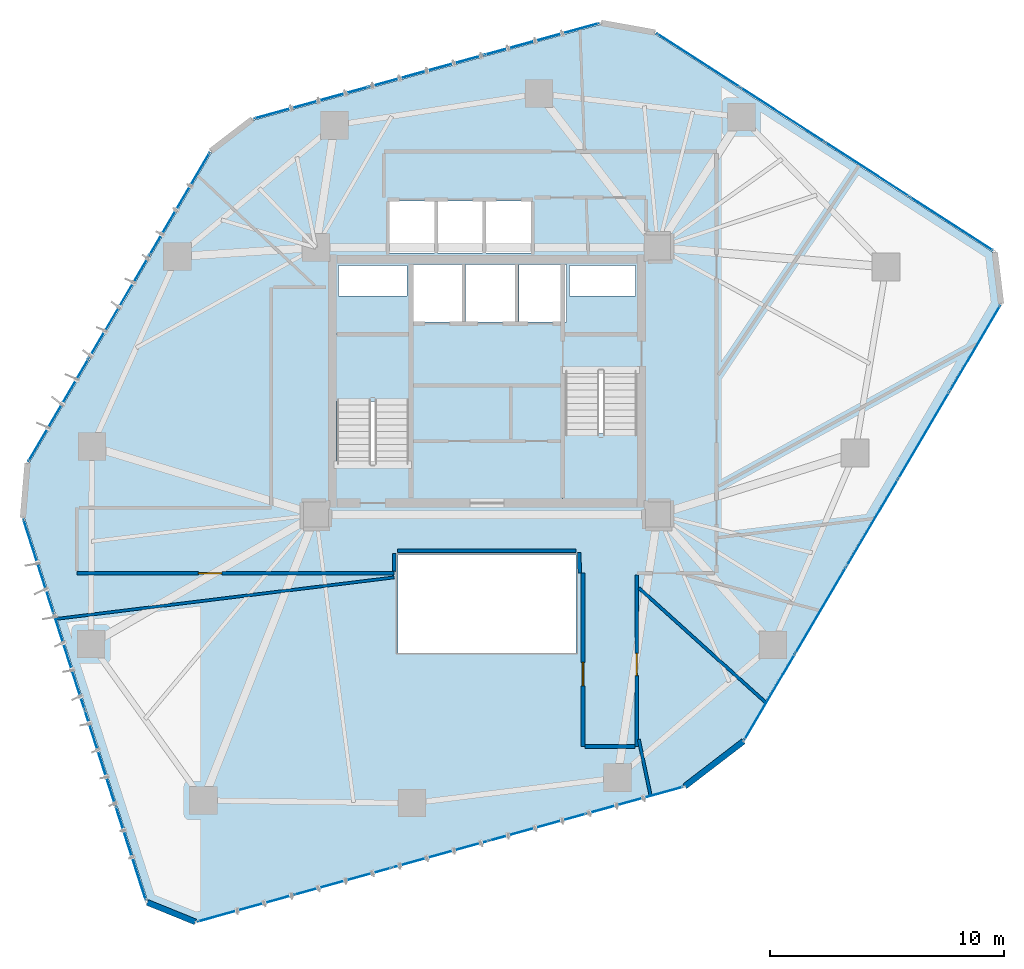
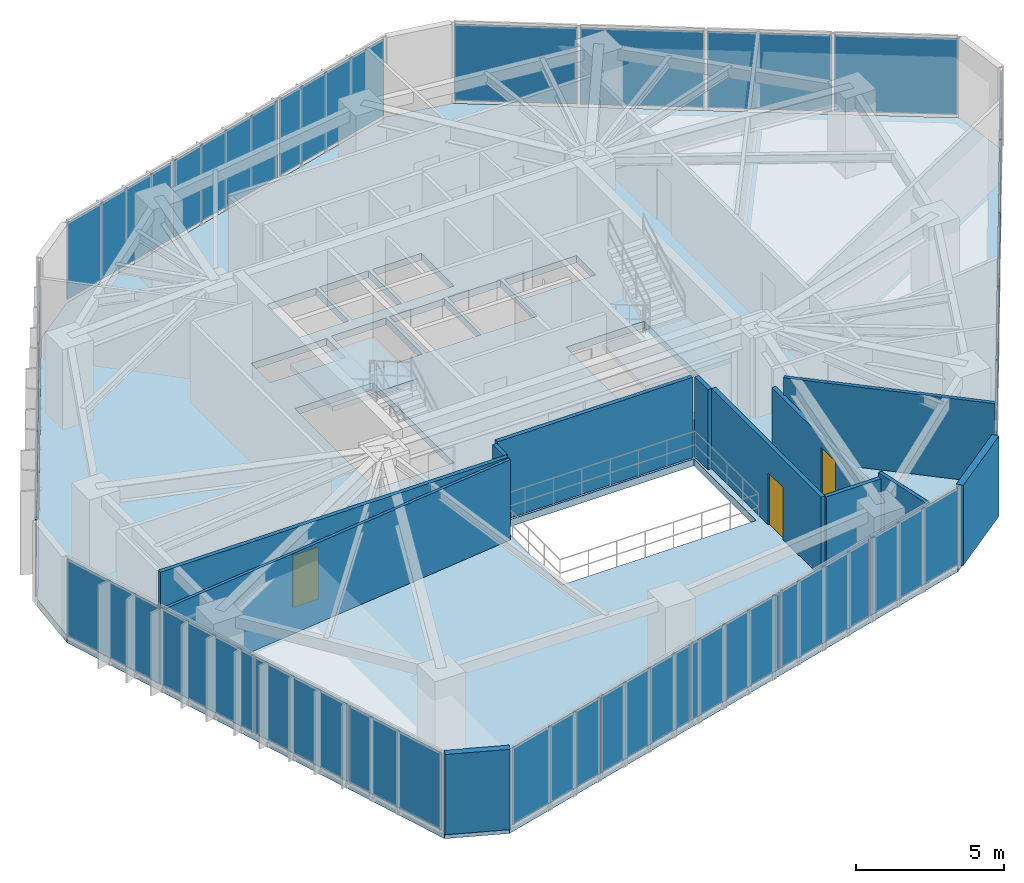
# One storey, part 15 of 20: 24 plates, 12 walls, 3 doors, 3 slabs, 3 openings, 8 elements without a shape of their own.
"""IFC4 building model written with IfcOpenShell, lengths in metres."""

from ifc_helpers import new_model, si_unit, direction, frame, frame_2d, origin, origin_2d, place, context, subcontext, project, spatial, polyline, rectangle, outline, extrude, source, transform, mapped, material, layer, layer_set, type_object, type_shapes, element, fill, aggregate, save


model = new_model("IFC4")

# Units and contexts
model_context = context("Model", 3, precision=1e-05, world=origin(), true_north=direction((0.0, 1.0)))
body_context = subcontext(model_context, "Body", "Model", "MODEL_VIEW")
ifc_project = project(units=[si_unit("LENGTHUNIT", "METRE"), si_unit("AREAUNIT", "SQUARE_METRE"), si_unit("VOLUMEUNIT", "CUBIC_METRE"), si_unit("PLANEANGLEUNIT", "RADIAN"), si_unit("MASSUNIT", "GRAM", prefix="KILO")], contexts=[model_context])

# Site, building, storey
site_placement = place(None, origin())
site = spatial("IfcSite", under=ifc_project, at=site_placement, CompositionType="ELEMENT")
building_placement = place(site_placement, origin())
building = spatial("IfcBuilding", under=site, at=building_placement, Name="Talar Marvaseh", CompositionType="ELEMENT")
storey_placement = place(building_placement, frame((0.0, 0.0, 136.199951171875)))
storey = spatial("IfcBuildingStorey", under=building, at=storey_placement, Name="L35", CompositionType="ELEMENT", Elevation=136.199951171875)

# Stair, slab
ifc_material_1 = material(Name="Concrete C40/50", Category="concrete")
stair_type = type_object("IfcStairType", Name="Reinforced Concrete Half-Turn Exit Stair Type B", PredefinedType="HALF_TURN_STAIR", material=ifc_material_1)
stair_1_placement = place(storey_placement, origin())
stair_1 = element("IfcStair", 1, at=stair_1_placement, inside=storey, type_object=stair_type, Name="L35 Tower West Core Exit Stair", PredefinedType="HALF_TURN_STAIR")
ifc_layer_1 = layer(ifc_material_1, 0.199951171875)
ifc_layer_set_1 = layer_set([ifc_layer_1], Name="Concrete C40/50")
slab_type_1 = type_object("IfcSlabType", Name="Reinforced Concrete Stair Half-Landing Slab 200", PredefinedType="LANDING", material=ifc_layer_set_1)
slab_1_placement = place(storey_placement, frame((0.0, 0.0, 1.60009765625)))
slab_1 = element("IfcSlab", 2, at=slab_1_placement, type_object=slab_type_1, Name="ST-1 landing 1", PredefinedType="LANDING", context=body_context, shape_type="SweptSolid", body=[
    extrude(outline(polyline([(22.780029296875, 30.330078125), (22.780029296875, 33.219970703125), (19.47998046875, 33.219970703125), (19.47998046875, 30.330078125), (22.780029296875, 30.330078125)])), origin(), (0.0, 0.0, 1.0), 0.199951171875),
])
aggregate(stair_1, [slab_1])

stair_2_placement = place(storey_placement, origin())
stair_2 = element("IfcStair", 3, at=stair_2_placement, inside=storey, type_object=stair_type, Name="L35 Tower East Core Exit Stair", PredefinedType="HALF_TURN_STAIR")
slab_2_placement = place(storey_placement, frame((0.0, 0.0, 1.60009765625)))
slab_2 = element("IfcSlab", 4, at=slab_2_placement, type_object=slab_type_1, Name="ST-2 landing 1", PredefinedType="LANDING", context=body_context, shape_type="SweptSolid", body=[
    extrude(outline(polyline([(29.219970703125, 28.969970703125), (29.219970703125, 26.080078125), (32.52001953125, 26.080078125), (32.52001953125, 28.969970703125), (29.219970703125, 28.969970703125)])), origin(), (0.0, 0.0, 1.0), 0.199951171875),
])
aggregate(stair_2, [slab_2])

# Slab
ifc_layer_2 = layer(ifc_material_1, 0.2900390625)
ifc_layer_set_2 = layer_set([ifc_layer_2], Name="Concrete C40/50")
slab_type_2 = type_object("IfcSlabType", Name="Structural Suspended Floor Slab 290", PredefinedType="FLOOR", material=ifc_layer_set_2)
slab_3_placement = place(storey_placement, frame((0.0, 0.0, -0.2900390625)))
element("IfcSlab", 5, at=slab_3_placement, inside=storey, type_object=slab_type_2, Name="L35 Tower Floor Slab", PredefinedType="FLOOR", context=body_context, shape_type="SweptSolid", body=[
    extrude(outline(polyline([(13.579345703125, 8.168212890625), (11.525146484375, 9.001220703125), (6.256591796875, 25.36572265625), (6.45556640625, 27.697998046875), (14.250732421875, 40.968017578125), (16.031982421875, 42.334716796875), (30.8671875, 46.4296875), (33.17138671875, 46.018310546875), (47.61474609375, 36.69384765625), (47.8876953125, 34.494140625), (36.9130859375, 15.869384765625), (34.409912109375, 13.948486328125), (13.579345703125, 8.168212890625)]), holes=[polyline([(22.659912109375, 27.64990234375), (22.659912109375, 33.10009765625), (19.60009765625, 33.10009765625), (19.60009765625, 27.64990234375), (22.659912109375, 27.64990234375)]), polyline([(29.340087890625, 31.64990234375), (29.340087890625, 26.199951171875), (32.39990234375, 26.199951171875), (32.39990234375, 31.64990234375), (29.340087890625, 31.64990234375)]), polyline([(22.800048828125, 33.719970703125), (24.93994140625, 33.719970703125), (24.93994140625, 36.179931640625), (22.800048828125, 36.179931640625), (22.800048828125, 33.719970703125)]), polyline([(25.080078125, 33.719970703125), (27.219970703125, 33.719970703125), (27.219970703125, 36.179931640625), (25.080078125, 36.179931640625), (25.080078125, 33.719970703125)]), polyline([(27.360107421875, 33.719970703125), (29.39990234375, 33.719970703125), (29.39990234375, 36.179931640625), (27.360107421875, 36.179931640625), (27.360107421875, 33.719970703125)]), polyline([(21.840087890625, 36.659912109375), (23.760009765625, 36.659912109375), (23.760009765625, 38.8798828125), (21.840087890625, 38.8798828125), (21.840087890625, 36.659912109375)]), polyline([(23.89990234375, 36.659912109375), (25.820068359375, 36.659912109375), (25.820068359375, 38.8798828125), (23.89990234375, 38.8798828125), (23.89990234375, 36.659912109375)]), polyline([(25.9599609375, 36.659912109375), (27.8798828125, 36.659912109375), (27.8798828125, 38.8798828125), (25.9599609375, 38.8798828125), (25.9599609375, 36.659912109375)]), polyline([(19.659912109375, 34.840087890625), (22.60009765625, 34.840087890625), (22.60009765625, 36.139892578125), (19.659912109375, 36.139892578125), (19.659912109375, 34.840087890625)]), polyline([(29.52001953125, 34.840087890625), (32.340087890625, 34.840087890625), (32.340087890625, 36.139892578125), (29.52001953125, 36.139892578125), (29.52001953125, 34.840087890625)]), polyline([(22.199951171875, 19.60009765625), (29.800048828125, 19.60009765625), (29.800048828125, 23.800048828125), (22.199951171875, 23.800048828125), (22.199951171875, 19.60009765625)])]), origin(), (0.0, 0.0, 1.0), 0.2900390625),
])

# Curtain wall, plates
ifc_material_2 = material(Name="Architectural Aluminium", Category="aluminium")
ifc_layer_3 = layer(ifc_material_2, 0.199951171875)
ifc_layer_set_3 = layer_set([ifc_layer_3], Name="Architectural Aluminium")
curtain_wall_type = type_object("IfcCurtainWallType", Name="Unitised Acoustic Library Curtain Wall Z2", PredefinedType="NOTDEFINED", material=ifc_layer_set_3)
curtain_wall_1_placement = place(storey_placement, origin())
curtain_wall_1 = element("IfcCurtainWall", 6, at=curtain_wall_1_placement, inside=storey, type_object=curtain_wall_type, Name="L35 Unitised Acoustic Library Curtain Wall Z2", PredefinedType="NOTDEFINED")
ifc_material_3 = material(Name="Laminated Low-E Solar Glass", Category="glass")
ifc_layer_4 = layer(ifc_material_3, 0.028076171875)
ifc_layer_set_4 = layer_set([ifc_layer_4], Name="Laminated Low-E Solar Glass")
plate_type = type_object("IfcPlateType", Name="Double-Glazed Low-E Vision Curtain Panel 28", PredefinedType="CURTAIN_PANEL", material=ifc_layer_set_4)
shared_shape_1 = source(origin(), body_context, "Body", "SweptSolid", [
    extrude(rectangle(XDim=4.185302734375, YDim=0.028076171875, at=origin_2d()), origin(), (0.0, 0.0, 1.0), 3.159912109375),
])
plate_1_placement = place(storey_placement, frame((10.8037109375, 11.04638671875, 0.0751953125), z_axis=(0.0, 0.0, 1.0), x_axis=(-0.306463298887, 0.951882475117, 0.0)))
plate_1 = element("IfcPlate", 7, at=plate_1_placement, type_object=plate_type, Name="CW-Z2 panel 1.1", PredefinedType="CURTAIN_PANEL", context=body_context, shape_type="MappedRepresentation", body=[
    mapped(shared_shape_1, transform((0.0, 0.0, 0.0), x_axis=(1.0, 0.0, 0.0), y_axis=(0.0, 1.0, 0.0), z_axis=(0.0, 0.0, 1.0), scale=1.0)),
])
plate_2_placement = place(storey_placement, frame((6.86376953125, 23.283935546875, 0.0751953125), z_axis=(0.0, 0.0, 1.0), x_axis=(-0.306463298887, 0.951882475117, 0.0)))
plate_2 = element("IfcPlate", 8, at=plate_2_placement, type_object=plate_type, Name="CW-Z2 panel 4.1", PredefinedType="CURTAIN_PANEL", context=body_context, shape_type="MappedRepresentation", body=[
    mapped(shared_shape_1, transform((0.0, 0.0, 0.0), x_axis=(1.0, 0.0, 0.0), y_axis=(0.0, 1.0, 0.0), z_axis=(0.0, 0.0, 1.0), scale=1.0)),
])

curtain_wall_2_placement = place(storey_placement, origin())
curtain_wall_2 = element("IfcCurtainWall", 9, at=curtain_wall_2_placement, inside=storey, type_object=curtain_wall_type, Name="L35 Unitised Acoustic Library Curtain Wall Z2", PredefinedType="NOTDEFINED")
plate_3_placement = place(storey_placement, frame((35.025146484375, 44.89306640625, 0.0751953125), z_axis=(0.0, 0.0, 1.0), x_axis=(0.840129498686, -0.542385863972, 0.0)))
plate_3 = element("IfcPlate", 10, at=plate_3_placement, type_object=plate_type, Name="CW-Z2 panel 1.1", PredefinedType="CURTAIN_PANEL", context=body_context, shape_type="MappedRepresentation", body=[
    mapped(shared_shape_1, transform((0.0, 0.0, 0.0), x_axis=(1.0, 0.0, 0.0), y_axis=(0.0, 1.0, 0.0), z_axis=(0.0, 0.0, 1.0), scale=1.0)),
])
plate_4_placement = place(storey_placement, frame((45.825927734375, 37.919921875, 0.0751953125), z_axis=(0.0, 0.0, 1.0), x_axis=(0.840129498686, -0.542385863972, 0.0)))
plate_4 = element("IfcPlate", 11, at=plate_4_placement, type_object=plate_type, Name="CW-Z2 panel 4.1", PredefinedType="CURTAIN_PANEL", context=body_context, shape_type="MappedRepresentation", body=[
    mapped(shared_shape_1, transform((0.0, 0.0, 0.0), x_axis=(1.0, 0.0, 0.0), y_axis=(0.0, 1.0, 0.0), z_axis=(0.0, 0.0, 1.0), scale=1.0)),
])

# Plate
shared_shape_2 = source(origin(), body_context, "Body", "SweptSolid", [
    extrude(rectangle(XDim=4.222900390625, YDim=0.028076171875, at=origin_2d()), origin(), (0.0, 0.0, 1.0), 3.159912109375),
])
plate_5_placement = place(storey_placement, frame((9.492431640625, 15.11962890625, 0.0751953125), z_axis=(0.0, 0.0, 1.0), x_axis=(-0.306463298887, 0.951882475117, 0.0)))
plate_5 = element("IfcPlate", 12, at=plate_5_placement, type_object=plate_type, Name="CW-Z2 panel 2.1", PredefinedType="CURTAIN_PANEL", context=body_context, shape_type="MappedRepresentation", body=[
    mapped(shared_shape_2, transform((0.0, 0.0, 0.0), x_axis=(1.0, 0.0, 0.0), y_axis=(0.0, 1.0, 0.0), z_axis=(0.0, 0.0, 1.0), scale=1.0)),
])

plate_6_placement = place(storey_placement, frame((8.17529296875, 19.210693359375, 0.0751953125), z_axis=(0.0, 0.0, 1.0), x_axis=(-0.306463298887, 0.951882475117, 0.0)))
plate_6 = element("IfcPlate", 13, at=plate_6_placement, type_object=plate_type, Name="CW-Z2 panel 3.1", PredefinedType="CURTAIN_PANEL", context=body_context, shape_type="MappedRepresentation", body=[
    mapped(shared_shape_2, transform((0.0, 0.0, 0.0), x_axis=(1.0, 0.0, 0.0), y_axis=(0.0, 1.0, 0.0), z_axis=(0.0, 0.0, 1.0), scale=1.0)),
])

aggregate(curtain_wall_1, [plate_1, plate_5, plate_6, plate_2])

plate_7_placement = place(storey_placement, frame((38.6201171875, 42.572021484375, 0.0751953125), z_axis=(0.0, 0.0, 1.0), x_axis=(0.840129498686, -0.542385863972, 0.0)))
plate_7 = element("IfcPlate", 14, at=plate_7_placement, type_object=plate_type, Name="CW-Z2 panel 2.1", PredefinedType="CURTAIN_PANEL", context=body_context, shape_type="MappedRepresentation", body=[
    mapped(shared_shape_2, transform((0.0, 0.0, 0.0), x_axis=(1.0, 0.0, 0.0), y_axis=(0.0, 1.0, 0.0), z_axis=(0.0, 0.0, 1.0), scale=1.0)),
])

plate_8_placement = place(storey_placement, frame((42.23095703125, 40.240966796875, 0.0751953125), z_axis=(0.0, 0.0, 1.0), x_axis=(0.840129498686, -0.542385863972, 0.0)))
plate_8 = element("IfcPlate", 15, at=plate_8_placement, type_object=plate_type, Name="CW-Z2 panel 3.1", PredefinedType="CURTAIN_PANEL", context=body_context, shape_type="MappedRepresentation", body=[
    mapped(shared_shape_2, transform((0.0, 0.0, 0.0), x_axis=(1.0, 0.0, 0.0), y_axis=(0.0, 1.0, 0.0), z_axis=(0.0, 0.0, 1.0), scale=1.0)),
])

aggregate(curtain_wall_2, [plate_3, plate_7, plate_8, plate_4])

# Curtain wall, plates
curtain_wall_3_placement = place(storey_placement, origin())
curtain_wall_3 = element("IfcCurtainWall", 16, at=curtain_wall_3_placement, inside=storey, type_object=curtain_wall_type, Name="L35 Unitised Acoustic Library Curtain Wall Z2", PredefinedType="NOTDEFINED")
shared_shape_3 = source(origin(), body_context, "Body", "SweptSolid", [
    extrude(rectangle(XDim=5.017578125, YDim=0.028076171875, at=origin_2d()), origin(), (0.0, 0.0, 1.0), 3.159912109375),
])
plate_9_placement = place(storey_placement, frame((7.71240234375, 29.956298828125, 0.0751953125), z_axis=(0.0, 0.0, 1.0), x_axis=(0.506512035131, 0.862232890968, 0.0)))
plate_9 = element("IfcPlate", 17, at=plate_9_placement, type_object=plate_type, Name="CW-Z2 panel 1.1", PredefinedType="CURTAIN_PANEL", context=body_context, shape_type="MappedRepresentation", body=[
    mapped(shared_shape_3, transform((0.0, 0.0, 0.0), x_axis=(1.0, 0.0, 0.0), y_axis=(0.0, 1.0, 0.0), z_axis=(0.0, 0.0, 1.0), scale=1.0)),
])
plate_10_placement = place(storey_placement, frame((12.890380859375, 38.7705078125, 0.0751953125), z_axis=(0.0, 0.0, 1.0), x_axis=(0.506512035131, 0.862232890968, 0.0)))
plate_10 = element("IfcPlate", 18, at=plate_10_placement, type_object=plate_type, Name="CW-Z2 panel 3.1", PredefinedType="CURTAIN_PANEL", context=body_context, shape_type="MappedRepresentation", body=[
    mapped(shared_shape_3, transform((0.0, 0.0, 0.0), x_axis=(1.0, 0.0, 0.0), y_axis=(0.0, 1.0, 0.0), z_axis=(0.0, 0.0, 1.0), scale=1.0)),
])

curtain_wall_4_placement = place(storey_placement, origin())
curtain_wall_4 = element("IfcCurtainWall", 19, at=curtain_wall_4_placement, inside=storey, type_object=curtain_wall_type, Name="L35 Unitised Acoustic Library Curtain Wall Z2", PredefinedType="NOTDEFINED")
plate_11_placement = place(storey_placement, frame((18.506591796875, 43.079833984375, 0.0751953125), z_axis=(0.0, 0.0, 1.0), x_axis=(0.963947573078, 0.2660922328, 0.0)))
plate_11 = element("IfcPlate", 20, at=plate_11_placement, type_object=plate_type, Name="CW-Z2 panel 1.1", PredefinedType="CURTAIN_PANEL", context=body_context, shape_type="MappedRepresentation", body=[
    mapped(shared_shape_3, transform((0.0, 0.0, 0.0), x_axis=(1.0, 0.0, 0.0), y_axis=(0.0, 1.0, 0.0), z_axis=(0.0, 0.0, 1.0), scale=1.0)),
])
plate_12_placement = place(storey_placement, frame((28.360595703125, 45.800048828125, 0.0751953125), z_axis=(0.0, 0.0, 1.0), x_axis=(0.963947573078, 0.2660922328, 0.0)))
plate_12 = element("IfcPlate", 21, at=plate_12_placement, type_object=plate_type, Name="CW-Z2 panel 3.1", PredefinedType="CURTAIN_PANEL", context=body_context, shape_type="MappedRepresentation", body=[
    mapped(shared_shape_3, transform((0.0, 0.0, 0.0), x_axis=(1.0, 0.0, 0.0), y_axis=(0.0, 1.0, 0.0), z_axis=(0.0, 0.0, 1.0), scale=1.0)),
])

# Plate
shared_shape_4 = source(origin(), body_context, "Body", "SweptSolid", [
    extrude(rectangle(XDim=5.054931640625, YDim=0.028076171875, at=origin_2d()), origin(), (0.0, 0.0, 1.0), 3.159912109375),
])
plate_13_placement = place(storey_placement, frame((10.301513671875, 34.36328125, 0.0751953125), z_axis=(0.0, 0.0, 1.0), x_axis=(0.506512035131, 0.862232890968, 0.0)))
plate_13 = element("IfcPlate", 22, at=plate_13_placement, type_object=plate_type, Name="CW-Z2 panel 2.1", PredefinedType="CURTAIN_PANEL", context=body_context, shape_type="MappedRepresentation", body=[
    mapped(shared_shape_4, transform((0.0, 0.0, 0.0), x_axis=(1.0, 0.0, 0.0), y_axis=(0.0, 1.0, 0.0), z_axis=(0.0, 0.0, 1.0), scale=1.0)),
])

aggregate(curtain_wall_3, [plate_9, plate_13, plate_10])

plate_14_placement = place(storey_placement, frame((23.43359375, 44.43994140625, 0.0751953125), z_axis=(0.0, 0.0, 1.0), x_axis=(0.963947573078, 0.2660922328, 0.0)))
plate_14 = element("IfcPlate", 23, at=plate_14_placement, type_object=plate_type, Name="CW-Z2 panel 2.1", PredefinedType="CURTAIN_PANEL", context=body_context, shape_type="MappedRepresentation", body=[
    mapped(shared_shape_4, transform((0.0, 0.0, 0.0), x_axis=(1.0, 0.0, 0.0), y_axis=(0.0, 1.0, 0.0), z_axis=(0.0, 0.0, 1.0), scale=1.0)),
])

aggregate(curtain_wall_4, [plate_11, plate_14, plate_12])

# Curtain wall, plates
curtain_wall_5_placement = place(storey_placement, origin())
curtain_wall_5 = element("IfcCurtainWall", 24, at=curtain_wall_5_placement, inside=storey, type_object=curtain_wall_type, Name="L35 Unitised Acoustic Library Curtain Wall Z2", PredefinedType="NOTDEFINED")
shared_shape_5 = source(origin(), body_context, "Body", "SweptSolid", [
    extrude(rectangle(XDim=4.2109375, YDim=0.028076171875, at=origin_2d()), origin(), (0.0, 0.0, 1.0), 3.159912109375),
])
plate_15_placement = place(storey_placement, frame((46.83251953125, 32.5849609375, 0.0751953125), z_axis=(0.0, 0.0, 1.0), x_axis=(-0.507672748715, -0.861549987065, 0.0)))
plate_15 = element("IfcPlate", 25, at=plate_15_placement, type_object=plate_type, Name="CW-Z2 panel 1.1", PredefinedType="CURTAIN_PANEL", context=body_context, shape_type="MappedRepresentation", body=[
    mapped(shared_shape_5, transform((0.0, 0.0, 0.0), x_axis=(1.0, 0.0, 0.0), y_axis=(0.0, 1.0, 0.0), z_axis=(0.0, 0.0, 1.0), scale=1.0)),
])
plate_16_placement = place(storey_placement, frame((38.07177734375, 17.717529296875, 0.0751953125), z_axis=(0.0, 0.0, 1.0), x_axis=(-0.507672748715, -0.861549987065, 0.0)))
plate_16 = element("IfcPlate", 26, at=plate_16_placement, type_object=plate_type, Name="CW-Z2 panel 5.1", PredefinedType="CURTAIN_PANEL", context=body_context, shape_type="MappedRepresentation", body=[
    mapped(shared_shape_5, transform((0.0, 0.0, 0.0), x_axis=(1.0, 0.0, 0.0), y_axis=(0.0, 1.0, 0.0), z_axis=(0.0, 0.0, 1.0), scale=1.0)),
])

curtain_wall_6_placement = place(storey_placement, origin())
curtain_wall_6 = element("IfcCurtainWall", 27, at=curtain_wall_6_placement, inside=storey, type_object=curtain_wall_type, Name="L35 Unitised Acoustic Library Curtain Wall Z2", PredefinedType="NOTDEFINED")
plate_17_placement = place(storey_placement, frame((32.32470703125, 13.307861328125, 0.0751953125), z_axis=(0.0, 0.0, 1.0), x_axis=(-0.963588854134, -0.267388332185, 0.0)))
plate_17 = element("IfcPlate", 28, at=plate_17_placement, type_object=plate_type, Name="CW-Z2 panel 1.1", PredefinedType="CURTAIN_PANEL", context=body_context, shape_type="MappedRepresentation", body=[
    mapped(shared_shape_5, transform((0.0, 0.0, 0.0), x_axis=(1.0, 0.0, 0.0), y_axis=(0.0, 1.0, 0.0), z_axis=(0.0, 0.0, 1.0), scale=1.0)),
])
plate_18_placement = place(storey_placement, frame((15.696533203125, 8.693603515625, 0.0751953125), z_axis=(0.0, 0.0, 1.0), x_axis=(-0.963588854134, -0.267388332185, 0.0)))
plate_18 = element("IfcPlate", 29, at=plate_18_placement, type_object=plate_type, Name="CW-Z2 panel 5.1", PredefinedType="CURTAIN_PANEL", context=body_context, shape_type="MappedRepresentation", body=[
    mapped(shared_shape_5, transform((0.0, 0.0, 0.0), x_axis=(1.0, 0.0, 0.0), y_axis=(0.0, 1.0, 0.0), z_axis=(0.0, 0.0, 1.0), scale=1.0)),
])

# Plate
shared_shape_6 = source(origin(), body_context, "Body", "SweptSolid", [
    extrude(rectangle(XDim=4.24853515625, YDim=0.028076171875, at=origin_2d()), origin(), (0.0, 0.0, 1.0), 3.159912109375),
])
type_shapes(plate_type, [shared_shape_1, shared_shape_2, shared_shape_3, shared_shape_4, shared_shape_5, shared_shape_6])
plate_19_placement = place(storey_placement, frame((44.64697265625, 28.876220703125, 0.0751953125), z_axis=(0.0, 0.0, 1.0), x_axis=(-0.507672748715, -0.861549987065, 0.0)))
plate_19 = element("IfcPlate", 30, at=plate_19_placement, type_object=plate_type, Name="CW-Z2 panel 2.1", PredefinedType="CURTAIN_PANEL", context=body_context, shape_type="MappedRepresentation", body=[
    mapped(shared_shape_6, transform((0.0, 0.0, 0.0), x_axis=(1.0, 0.0, 0.0), y_axis=(0.0, 1.0, 0.0), z_axis=(0.0, 0.0, 1.0), scale=1.0)),
])

plate_20_placement = place(storey_placement, frame((42.4521484375, 25.1513671875, 0.0751953125), z_axis=(0.0, 0.0, 1.0), x_axis=(-0.507672748715, -0.861549987065, 0.0)))
plate_20 = element("IfcPlate", 31, at=plate_20_placement, type_object=plate_type, Name="CW-Z2 panel 3.1", PredefinedType="CURTAIN_PANEL", context=body_context, shape_type="MappedRepresentation", body=[
    mapped(shared_shape_6, transform((0.0, 0.0, 0.0), x_axis=(1.0, 0.0, 0.0), y_axis=(0.0, 1.0, 0.0), z_axis=(0.0, 0.0, 1.0), scale=1.0)),
])

plate_21_placement = place(storey_placement, frame((40.257080078125, 21.42626953125, 0.0751953125), z_axis=(0.0, 0.0, 1.0), x_axis=(-0.507672748715, -0.861549987065, 0.0)))
plate_21 = element("IfcPlate", 32, at=plate_21_placement, type_object=plate_type, Name="CW-Z2 panel 4.1", PredefinedType="CURTAIN_PANEL", context=body_context, shape_type="MappedRepresentation", body=[
    mapped(shared_shape_6, transform((0.0, 0.0, 0.0), x_axis=(1.0, 0.0, 0.0), y_axis=(0.0, 1.0, 0.0), z_axis=(0.0, 0.0, 1.0), scale=1.0)),
])

aggregate(curtain_wall_5, [plate_15, plate_19, plate_20, plate_21, plate_16])

plate_22_placement = place(storey_placement, frame((28.1767578125, 12.15673828125, 0.0751953125), z_axis=(0.0, 0.0, 1.0), x_axis=(-0.963588854134, -0.267388332185, 0.0)))
plate_22 = element("IfcPlate", 33, at=plate_22_placement, type_object=plate_type, Name="CW-Z2 panel 2.1", PredefinedType="CURTAIN_PANEL", context=body_context, shape_type="MappedRepresentation", body=[
    mapped(shared_shape_6, transform((0.0, 0.0, 0.0), x_axis=(1.0, 0.0, 0.0), y_axis=(0.0, 1.0, 0.0), z_axis=(0.0, 0.0, 1.0), scale=1.0)),
])

plate_23_placement = place(storey_placement, frame((24.010498046875, 11.000732421875, 0.0751953125), z_axis=(0.0, 0.0, 1.0), x_axis=(-0.963588854134, -0.267388332185, 0.0)))
plate_23 = element("IfcPlate", 34, at=plate_23_placement, type_object=plate_type, Name="CW-Z2 panel 3.1", PredefinedType="CURTAIN_PANEL", context=body_context, shape_type="MappedRepresentation", body=[
    mapped(shared_shape_6, transform((0.0, 0.0, 0.0), x_axis=(1.0, 0.0, 0.0), y_axis=(0.0, 1.0, 0.0), z_axis=(0.0, 0.0, 1.0), scale=1.0)),
])

plate_24_placement = place(storey_placement, frame((19.844482421875, 9.844482421875, 0.0751953125), z_axis=(0.0, 0.0, 1.0), x_axis=(-0.963588854134, -0.267388332185, 0.0)))
plate_24 = element("IfcPlate", 35, at=plate_24_placement, type_object=plate_type, Name="CW-Z2 panel 4.1", PredefinedType="CURTAIN_PANEL", context=body_context, shape_type="MappedRepresentation", body=[
    mapped(shared_shape_6, transform((0.0, 0.0, 0.0), x_axis=(1.0, 0.0, 0.0), y_axis=(0.0, 1.0, 0.0), z_axis=(0.0, 0.0, 1.0), scale=1.0)),
])

aggregate(curtain_wall_6, [plate_17, plate_22, plate_23, plate_24, plate_18])

# Walls
ifc_material_4 = material(Name="Precast concrete C45/55", Category="concrete")
ifc_layer_5 = layer(ifc_material_4, 0.2548828125)
ifc_layer_set_5 = layer_set([ifc_layer_5], Name="Precast concrete C45/55")
wall_type_1 = type_object("IfcWallType", Name="Chamfered Hexagonal Corner Pier Wall Z2 255", PredefinedType="SOLIDWALL", material=ifc_layer_set_5)
wall_1_placement = place(storey_placement, frame((13.556884765625, 8.11279296875, 0.0), z_axis=(0.0, 0.0, 1.0), x_axis=(-0.926704025405, 0.375792029318, 0.0)))
element("IfcWall", 36, at=wall_1_placement, inside=storey, type_object=wall_type_1, Name="L35 Chamfered Corner Limestone Pier 1", PredefinedType="SOLIDWALL", context=body_context, shape_type="SweptSolid", body=[
    extrude(rectangle(XDim=2.216552734375, YDim=0.2548828125, at=frame_2d((1.1083984375, 0.0))), origin(), (0.0, 0.0, 1.0), 3.31005859375),
])
wall_2_placement = place(storey_placement, frame((36.949462890625, 15.82177734375, 0.0), z_axis=(0.0, 0.0, 1.0), x_axis=(-0.79333105288, -0.608790473428, 0.0)))
element("IfcWall", 37, at=wall_2_placement, inside=storey, type_object=wall_type_1, Name="L35 Chamfered Corner Limestone Pier 6", PredefinedType="SOLIDWALL", context=body_context, shape_type="SweptSolid", body=[
    extrude(rectangle(XDim=3.1552734375, YDim=0.2548828125, at=frame_2d((1.57763671875, 0.0))), origin(), (0.0, 0.0, 1.0), 3.31005859375),
])

# Wall, opening, door
ifc_material_5 = material(Name="Gypsum Board Partition Assembly")
ifc_layer_6 = layer(ifc_material_5, 0.155029296875)
ifc_layer_set_6 = layer_set([ifc_layer_6], Name="Gypsum Board Partition Assembly")
wall_type_2 = type_object("IfcWallType", Name="Corridor Fire-Rated Acoustic Partition 155", PredefinedType="PARTITIONING", material=ifc_layer_set_6)
wall_3_placement = place(storey_placement, frame((22.0400390625, 23.0, 0.0), z_axis=(0.0, 0.0, 1.0), x_axis=(-1.0, 0.0, 0.0)))
wall_3 = element("IfcWall", 38, at=wall_3_placement, inside=storey, type_object=wall_type_2, Name="L35 Interior Partition Wall", PredefinedType="PARTITIONING", context=body_context, shape_type="SweptSolid", body=[
    extrude(rectangle(XDim=13.5400390625, YDim=0.155029296875, at=frame_2d((6.77001953125, 0.0))), origin(), (0.0, 0.0, 1.0), 3.31005859375),
])
opening_1_placement = place(wall_3_placement, frame((7.353271484375, 0.0, 0.0)))
opening_1 = element("IfcOpeningElement", 39, at=opening_1_placement, cuts=wall_3, Name="Opening DR-RM100", PredefinedType="OPENING", context=body_context, shape_type="SweptSolid", body=[
    extrude(rectangle(XDim=1.0, YDim=2.14990234375, at=frame_2d((0.5, 1.074951171875))), frame((0.0, 0.08740234375, 0.0), z_axis=(0.0, -1.0, 0.0), x_axis=(1.0, 0.0, 0.0)), (0.0, 0.0, 1.0), 0.175048828125),
])
ifc_material_6 = material(Name="Acoustic Engineered Oak Timber", Category="wood")
door_type_1 = type_object("IfcDoorType", Name="Corridor Fire-Rated Gallery Door 1000x2150", OperationType="NOTDEFINED", PredefinedType="DOOR", material=ifc_material_6)
shared_shape_7 = source(origin(), body_context, "Body", "SweptSolid", [
    extrude(rectangle(XDim=1.0, YDim=2.14990234375, at=frame_2d((0.5, 1.074951171875))), frame((0.0, 0.02490234375, 0.0), z_axis=(0.0, -1.0, 0.0), x_axis=(1.0, 0.0, 0.0)), (0.0, 0.0, 1.0), 0.050048828125),
])
type_shapes(door_type_1, [shared_shape_7])
door_1_placement = place(opening_1_placement, origin())
door_1 = element("IfcDoor", 40, at=door_1_placement, inside=storey, type_object=door_type_1, Name="L35 Editorial Administration Office Door", OperationType="SINGLE_SWING_RIGHT", OverallHeight=2.14990234375, OverallWidth=1.0, PredefinedType="DOOR", context=body_context, shape_type="MappedRepresentation", body=[
    mapped(shared_shape_7, transform((0.0, 0.0, 0.0), x_axis=(1.0, 0.0, 0.0), y_axis=(0.0, 1.0, 0.0), z_axis=(0.0, 0.0, 1.0), scale=1.0)),
])
fill(opening_1, door_1)

wall_4_placement = place(storey_placement, frame((32.39990234375, 22.91650390625, 0.0), z_axis=(0.0, 0.0, 1.0), x_axis=(0.0, -1.0, 0.0)))
wall_4 = element("IfcWall", 41, at=wall_4_placement, inside=storey, type_object=wall_type_2, Name="L35 Interior Partition Wall", PredefinedType="PARTITIONING", context=body_context, shape_type="SweptSolid", body=[
    extrude(rectangle(XDim=7.31640625, YDim=0.155029296875, at=frame_2d((3.658203125, 0.0))), origin(), (0.0, 0.0, 1.0), 2.590087890625),
])
opening_2_placement = place(wall_4_placement, frame((3.33544921875, 0.0, 0.0)))
opening_2 = element("IfcOpeningElement", 42, at=opening_2_placement, cuts=wall_4, Name="Opening DR-WC095", PredefinedType="OPENING", context=body_context, shape_type="SweptSolid", body=[
    extrude(rectangle(XDim=0.949951171875, YDim=2.14990234375, at=frame_2d((0.47509765625, 1.074951171875))), frame((0.0, 0.08740234375, 0.0), z_axis=(0.0, -1.0, 0.0), x_axis=(1.0, 0.0, 0.0)), (0.0, 0.0, 1.0), 0.175048828125),
])
door_type_2 = type_object("IfcDoorType", Name="Washroom and Service Room Door 950x2150", OperationType="NOTDEFINED", PredefinedType="DOOR", material=ifc_material_6)
shared_shape_8 = source(origin(), body_context, "Body", "SweptSolid", [
    extrude(rectangle(XDim=0.949951171875, YDim=2.14990234375, at=frame_2d((0.47509765625, 1.074951171875))), frame((0.0, 0.02490234375, 0.0), z_axis=(0.0, -1.0, 0.0), x_axis=(1.0, 0.0, 0.0)), (0.0, 0.0, 1.0), 0.050048828125),
])
type_shapes(door_type_2, [shared_shape_8])
door_2_placement = place(opening_2_placement, origin())
door_2 = element("IfcDoor", 43, at=door_2_placement, inside=storey, type_object=door_type_2, Name="L35 Rare Books Archive Room Door", OperationType="SINGLE_SWING_LEFT", OverallHeight=2.14990234375, OverallWidth=0.949951171875, PredefinedType="DOOR", context=body_context, shape_type="MappedRepresentation", body=[
    mapped(shared_shape_8, transform((0.0, 0.0, 0.0), x_axis=(1.0, 0.0, 0.0), y_axis=(0.0, 1.0, 0.0), z_axis=(0.0, 0.0, 1.0), scale=1.0)),
])
fill(opening_2, door_2)

wall_5_placement = place(storey_placement, frame((30.10009765625, 15.60009765625, 0.0), z_axis=(0.0, 0.0, 1.0), x_axis=(0.0, 1.0, 0.0)))
wall_5 = element("IfcWall", 44, at=wall_5_placement, inside=storey, type_object=wall_type_2, Name="L35 Interior Partition Wall", PredefinedType="PARTITIONING", context=body_context, shape_type="SweptSolid", body=[
    extrude(rectangle(XDim=7.39990234375, YDim=0.155029296875, at=frame_2d((3.699951171875, 0.0))), origin(), (0.0, 0.0, 1.0), 3.31005859375),
])
opening_3_placement = place(wall_5_placement, frame((2.589599609375, 0.0, 0.0)))
opening_3 = element("IfcOpeningElement", 45, at=opening_3_placement, cuts=wall_5, Name="Opening DR-RM100", PredefinedType="OPENING", context=body_context, shape_type="SweptSolid", body=[
    extrude(rectangle(XDim=1.0, YDim=2.14990234375, at=frame_2d((0.5, 1.074951171875))), frame((0.0, 0.08740234375, 0.0), z_axis=(0.0, -1.0, 0.0), x_axis=(1.0, 0.0, 0.0)), (0.0, 0.0, 1.0), 0.175048828125),
])
door_3_placement = place(opening_3_placement, origin())
door_3 = element("IfcDoor", 46, at=door_3_placement, inside=storey, type_object=door_type_1, Name="L35 Curatorial Office Door", OperationType="SINGLE_SWING_RIGHT", OverallHeight=2.14990234375, OverallWidth=1.0, PredefinedType="DOOR", context=body_context, shape_type="MappedRepresentation", body=[
    mapped(shared_shape_7, transform((0.0, 0.0, 0.0), x_axis=(1.0, 0.0, 0.0), y_axis=(0.0, 1.0, 0.0), z_axis=(0.0, 0.0, 1.0), scale=1.0)),
])
fill(opening_3, door_3)

# Walls
wall_6_placement = place(storey_placement, frame((29.800048828125, 23.9599609375, 0.0), z_axis=(0.0, 0.0, 1.0), x_axis=(-0.999999995375, -9.617234e-05, 0.0)))
element("IfcWall", 47, at=wall_6_placement, inside=storey, type_object=wall_type_2, Name="L35 Interior Partition Wall", PredefinedType="PARTITIONING", context=body_context, shape_type="SweptSolid", body=[
    extrude(rectangle(XDim=7.61572265625, YDim=0.155029296875, at=frame_2d((3.807861328125, 0.0))), origin(), (0.0, 0.0, 1.0), 3.31005859375),
])
wall_7_placement = place(storey_placement, frame((22.043212890625, 23.831298828125, 0.0), z_axis=(0.0, 0.0, 1.0), x_axis=(-0.003917697652, -0.999992325793, 0.0)))
element("IfcWall", 48, at=wall_7_placement, inside=storey, type_object=wall_type_2, Name="L35 Interior Partition Wall", PredefinedType="PARTITIONING", context=body_context, shape_type="SweptSolid", body=[
    extrude(rectangle(XDim=0.747802734375, YDim=0.155029296875, at=frame_2d((0.3740234375, 0.0))), origin(), (0.0, 0.0, 1.0), 3.31005859375),
])
wall_8_placement = place(storey_placement, frame((32.31640625, 15.60009765625, 0.0), z_axis=(0.0, 0.0, 1.0), x_axis=(-1.0, 0.0, 0.0)))
element("IfcWall", 49, at=wall_8_placement, inside=storey, type_object=wall_type_2, Name="L35 Interior Partition Wall", PredefinedType="PARTITIONING", context=body_context, shape_type="SweptSolid", body=[
    extrude(rectangle(XDim=2.1328125, YDim=0.155029296875, at=frame_2d((1.06640625, 0.0))), origin(), (0.0, 0.0, 1.0), 3.31005859375),
])
wall_9_placement = place(storey_placement, frame((29.9599609375, 23.0, 0.0), z_axis=(0.0, 0.0, 1.0), x_axis=(-0.021467444279, 0.999769547864, 0.0)))
element("IfcWall", 50, at=wall_9_placement, inside=storey, type_object=wall_type_2, Name="L35 Interior Partition Wall", PredefinedType="PARTITIONING", context=body_context, shape_type="SweptSolid", body=[
    extrude(rectangle(XDim=0.875732421875, YDim=0.155029296875, at=frame_2d((0.43798828125, 0.0))), origin(), (0.0, 0.0, 1.0), 3.31005859375),
])
ifc_layer_7 = layer(ifc_material_5, 0.1201171875)
ifc_layer_set_7 = layer_set([ifc_layer_7], Name="Gypsum Board Partition Assembly")
wall_type_3 = type_object("IfcWallType", Name="Demountable Studio Room Partition 120", PredefinedType="PARTITIONING", material=ifc_layer_set_7)
wall_10_placement = place(storey_placement, frame((7.609619140625, 21.0478515625, 0.0), z_axis=(0.0, 0.0, 1.0), x_axis=(0.992542956285, 0.121895364672, 0.0)))
element("IfcWall", 51, at=wall_10_placement, inside=storey, type_object=wall_type_3, Name="L35 Interior Partition Wall", PredefinedType="PARTITIONING", context=body_context, shape_type="SweptSolid", body=[
    extrude(rectangle(XDim=14.538818359375, YDim=0.1201171875, at=frame_2d((7.26953125, 0.0))), origin(), (0.0, 0.0, 1.0), 3.31005859375),
])
ifc_layer_8 = layer(ifc_material_5, 0.135009765625)
ifc_layer_set_8 = layer_set([ifc_layer_8], Name="Gypsum Board Partition Assembly")
wall_type_4 = type_object("IfcWallType", Name="Gallery High-Acoustic Partition 135", PredefinedType="PARTITIONING", material=ifc_layer_set_8)
wall_11_placement = place(storey_placement, frame((32.4833984375, 15.90380859375, 0.0), z_axis=(0.0, 0.0, 1.0), x_axis=(0.206212275914, -0.978507280127, 0.0)))
element("IfcWall", 52, at=wall_11_placement, inside=storey, type_object=wall_type_4, Name="L35 Interior Partition Wall", PredefinedType="PARTITIONING", context=body_context, shape_type="SweptSolid", body=[
    extrude(rectangle(XDim=2.43896484375, YDim=0.135009765625, at=frame_2d((1.219482421875, 0.0))), origin(), (0.0, 0.0, 1.0), 3.31005859375),
])
wall_12_placement = place(storey_placement, frame((32.4833984375, 22.37451171875, 0.0), z_axis=(0.0, 0.0, 1.0), x_axis=(0.742131072661, -0.670254780656, 0.0)))
element("IfcWall", 53, at=wall_12_placement, inside=storey, type_object=wall_type_4, Name="L35 Interior Partition Wall", PredefinedType="PARTITIONING", context=body_context, shape_type="SweptSolid", body=[
    extrude(rectangle(XDim=7.302978515625, YDim=0.135009765625, at=frame_2d((3.6513671875, 0.0))), origin(), (0.0, 0.0, 1.0), 3.31005859375),
])

save(model, "model.ifc")
